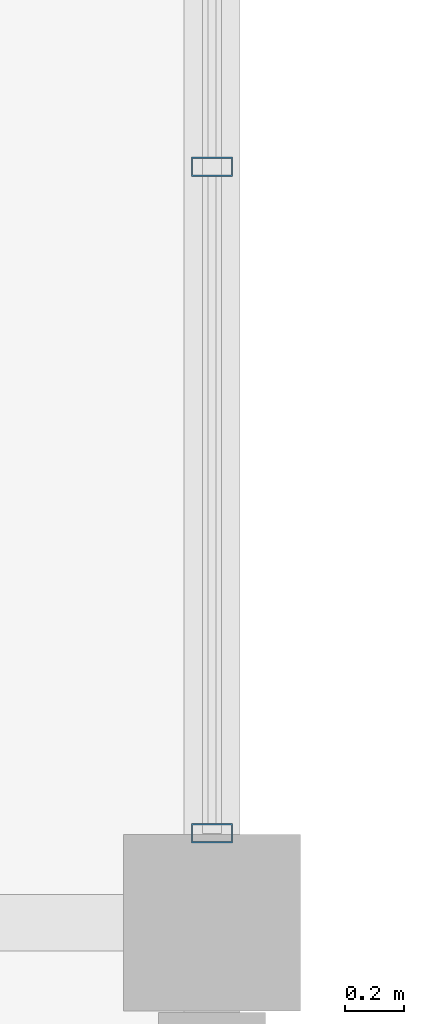
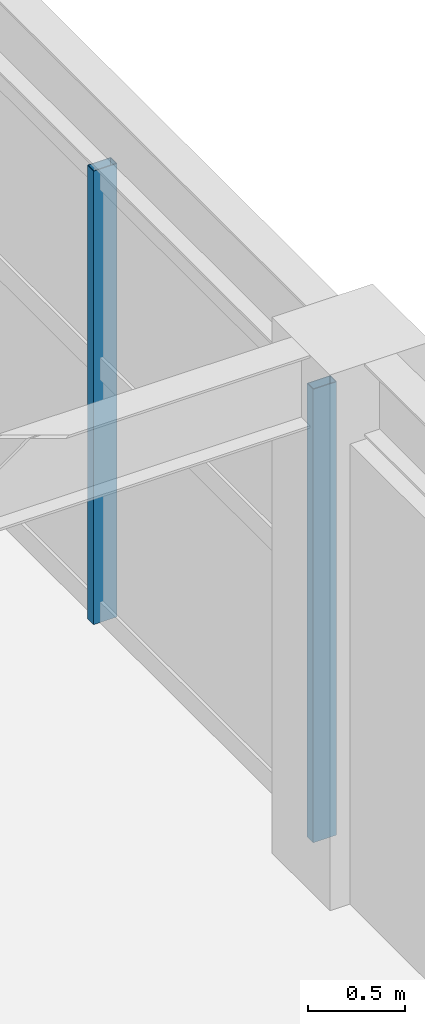
# One storey, part 10 of 121: 2 members, 1 element without a shape of its own.
"""IFC4 building model written with IfcOpenShell, lengths in metres."""

from ifc_helpers import new_model, si_unit, direction, frame, origin, origin_2d, place, context, subcontext, project, spatial, hollow_rectangle, extrude, material, material_profile, profile_set, type_object, element, aggregate, save


model = new_model("IFC4")

# Units and contexts
model_context = context("Model", 3, precision=1e-05, world=origin(), true_north=direction((0.0, 1.0)))
body_context = subcontext(model_context, "Body", "Model", "MODEL_VIEW")
ifc_project = project(units=[si_unit("LENGTHUNIT", "METRE"), si_unit("AREAUNIT", "SQUARE_METRE"), si_unit("VOLUMEUNIT", "CUBIC_METRE"), si_unit("PLANEANGLEUNIT", "RADIAN"), si_unit("MASSUNIT", "GRAM", prefix="KILO")], contexts=[model_context])

# Site, building, storey
site_placement = place(None, origin())
site = spatial("IfcSite", under=ifc_project, at=site_placement, CompositionType="ELEMENT")
building_placement = place(site_placement, origin())
building = spatial("IfcBuilding", under=site, at=building_placement, Name="Cimatlan Art Gallery", CompositionType="ELEMENT")
storey_placement = place(building_placement, frame((0.0, 0.0, 10.199951171875)))
storey = spatial("IfcBuildingStorey", under=building, at=storey_placement, Name="L02", CompositionType="ELEMENT", Elevation=10.199951171875)

# Curtain wall, members
ifc_material_1 = material(Name="Anodised bronze unitised curtain wall")
curtain_wall_type = type_object("IfcCurtainWallType", Name="CW-V-06792X02853-B3", PredefinedType="NOTDEFINED", material=ifc_material_1)
curtain_wall_placement = place(storey_placement, origin())
curtain_wall = element("IfcCurtainWall", 1, at=curtain_wall_placement, inside=storey, type_object=curtain_wall_type, Name="CW-L02-01-06-E", PredefinedType="NOTDEFINED")
ifc_material_2 = material(Name="Anodised bronze aluminium 6063-T6", Category="aluminium")
ifc_material_profile = material_profile(ifc_material_2, hollow_rectangle(XDim=0.06494140625, YDim=0.139892578125, WallThickness=0.00390625, at=origin_2d()), Name="ALU65X140X4")
ifc_profile_set = profile_set([ifc_material_profile], Name="Anodised bronze aluminium 6063-T6")
member_type = type_object("IfcMemberType", Name="CW-MUL-140", PredefinedType="MULLION", material=ifc_profile_set)
member_1_placement = place(storey_placement, frame((18.199951171875, 48.66796875, 0.0), z_axis=(0.0, 0.0, 1.0), x_axis=(0.0, 1.0, 0.0)))
member_1 = element("IfcMember", 2, at=member_1_placement, type_object=member_type, Name="CW-L02-01-06-E-M3", PredefinedType="MULLION", context=body_context, shape_type="SweptSolid", body=[
    extrude(hollow_rectangle(XDim=0.06494140625, YDim=0.139892578125, WallThickness=0.00390625, at=origin_2d()), origin(), (0.0, 0.0, 1.0), 2.85302734375),
])
member_2_placement = place(storey_placement, frame((18.199951171875, 46.404052734375, 0.0), z_axis=(0.0, 0.0, 1.0), x_axis=(0.0, 1.0, 0.0)))
member_2 = element("IfcMember", 3, at=member_2_placement, type_object=member_type, Name="CW-L02-01-06-E-M4", PredefinedType="MULLION", context=body_context, shape_type="SweptSolid", body=[
    extrude(hollow_rectangle(XDim=0.06494140625, YDim=0.139892578125, WallThickness=0.00390625, at=origin_2d()), origin(), (0.0, 0.0, 1.0), 2.85302734375),
])
aggregate(curtain_wall, [member_1, member_2])

save(model, "model.ifc")
